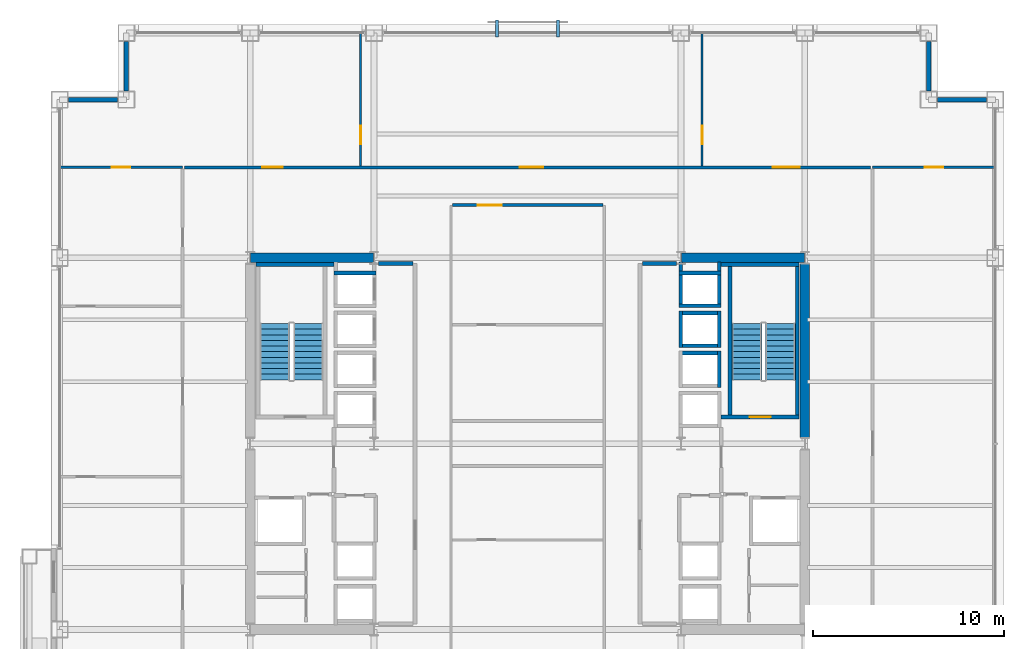
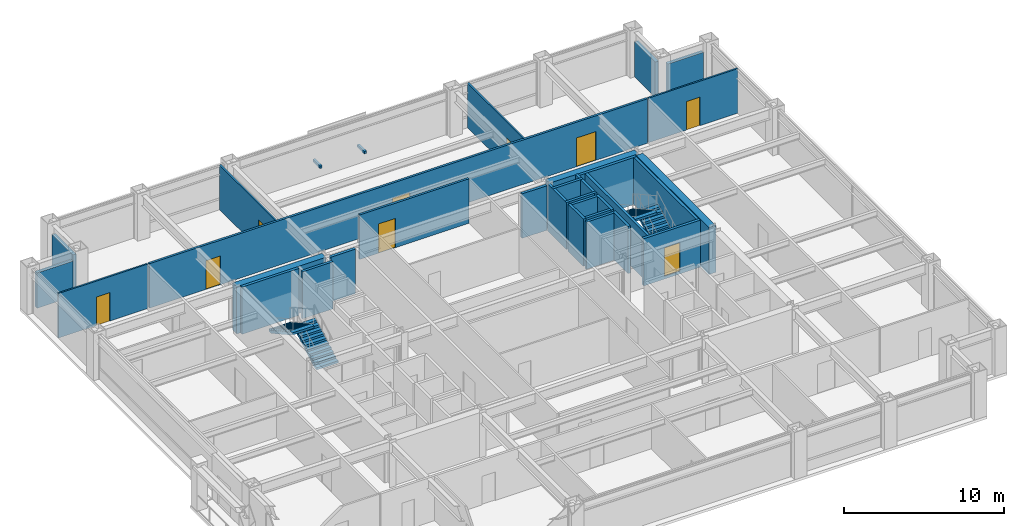
# One storey, part 27 of 30: 31 walls, 9 doors, 4 stair flights, 2 discrete accessories, 9 openings, 2 elements without a shape of their own.
"""IFC4 building model written with IfcOpenShell, lengths in metres."""

from ifc_helpers import new_model, si_unit, direction, frame, frame_2d, origin, origin_2d, place, context, subcontext, project, spatial, polyline, rectangle, outline, extrude, material, layer, layer_set, type_object, element, fill, aggregate, save


model = new_model("IFC4")

# Units and contexts
model_context = context("Model", 3, precision=1e-05, world=origin(), true_north=direction((0.0, 1.0)))
body_context = subcontext(model_context, "Body", "Model", "MODEL_VIEW")
ifc_project = project(units=[si_unit("LENGTHUNIT", "METRE"), si_unit("AREAUNIT", "SQUARE_METRE"), si_unit("VOLUMEUNIT", "CUBIC_METRE"), si_unit("PLANEANGLEUNIT", "RADIAN"), si_unit("MASSUNIT", "GRAM", prefix="KILO")], contexts=[model_context])

# Site, building, storey
site_placement = place(None, origin())
site = spatial("IfcSite", under=ifc_project, at=site_placement, CompositionType="ELEMENT")
building_placement = place(site_placement, origin())
building = spatial("IfcBuilding", under=site, at=building_placement, Name="Brelmoor Portico Tower", CompositionType="ELEMENT")
storey_placement = place(building_placement, frame((0.0, 0.0, 74.39990234375)))
storey = spatial("IfcBuildingStorey", under=building, at=storey_placement, Name="L19", CompositionType="ELEMENT", Elevation=74.39990234375)

# Walls
ifc_material_1 = material(Name="Concrete C60", Category="concrete")
ifc_layer_1 = layer(ifc_material_1, 0.5)
ifc_layer_set_1 = layer_set([ifc_layer_1], Name="Concrete C60")
wall_type_1 = type_object("IfcWallType", Name="WL-CORE-500", PredefinedType="SHEAR", material=ifc_layer_set_1)
for number, where, z_axis, x_axis, name in (
    (1, (-14.530029296875, 9.75, -0.199951171875), (0.0, 0.0, 1.0), (1.0, 0.0, 0.0), "L19 WC North Shear Wall"),
    (2, (8.070068359375, 9.75, -0.199951171875), (0.0, 0.0, 1.0), (1.0, 0.0, 0.0), "L19 EC North Shear Wall"),
):
    element("IfcWall", number, at=place(storey_placement, frame(where, z_axis=z_axis, x_axis=x_axis)), inside=storey, type_object=wall_type_1, Name=name, PredefinedType="SHEAR", context=body_context, shape_type="SweptSolid", body=[
        extrude(rectangle(XDim=6.4599609375, YDim=0.5, at=frame_2d((3.22998046875, 0.0))), origin(), (0.0, 0.0, 1.0), 3.60009765625),
    ])
wall_1_placement = place(storey_placement, frame((14.550048828125, 0.324951171875, -0.199951171875), z_axis=(0.0, 0.0, 1.0), x_axis=(0.0, 1.0, 0.0)))
element("IfcWall", 3, at=wall_1_placement, inside=storey, type_object=wall_type_1, Name="L19 EC Outer North Shear Wall", PredefinedType="SHEAR", context=body_context, shape_type="SweptSolid", body=[
    extrude(rectangle(XDim=9.10009765625, YDim=0.5, at=frame_2d((4.550048828125, 0.0))), origin(), (0.0, 0.0, 1.0), 3.60009765625),
])
ifc_material_2 = material(Name="Precast Concrete C40 Insulated Facade Wall", Category="concrete")
ifc_layer_2 = layer(ifc_material_2, 0.25)
ifc_layer_set_2 = layer_set([ifc_layer_2], Name="Precast Concrete C40 Insulated Facade Wall")
wall_type_2 = type_object("IfcWallType", Name="WL-EXT-250", PredefinedType="STANDARD", material=ifc_layer_set_2)
for number, where, z_axis, x_axis, name in (
    (4, (-24.090087890625, 18.050048828125, 0.0), (0.0, 0.0, 1.0), (1.0, 0.0, 0.0), "L19 Corner Notch Facade Wall NNWH1"),
    (5, (-21.050048828125, 18.510009765625, 0.0), (0.0, 0.0, 1.0), (0.0, 1.0, 0.0), "L19 Corner Notch Facade Wall NNWV1"),
    (6, (21.510009765625, 18.050048828125, 0.0), (0.0, 0.0, 1.0), (1.0, 0.0, 0.0), "L19 Corner Notch Facade Wall NNEH1"),
    (7, (21.050048828125, 18.510009765625, 0.0), (0.0, 0.0, 1.0), (0.0, 1.0, 0.0), "L19 Corner Notch Facade Wall NNEV1"),
):
    element("IfcWall", number, at=place(storey_placement, frame(where, z_axis=z_axis, x_axis=x_axis)), inside=storey, type_object=wall_type_2, Name=name, PredefinedType="STANDARD", context=body_context, shape_type="SweptSolid", body=[
        extrude(rectangle(XDim=2.580078125, YDim=0.25, at=frame_2d((1.2900390625, 0.0))), origin(), (0.0, 0.0, 1.0), 2.7001953125),
    ])

# Wall, opening, door
ifc_material_3 = material(Name="Lightweight Gypsum Office Partition", Category="gypsum")
ifc_layer_3 = layer(ifc_material_3, 0.1201171875)
ifc_layer_set_3 = layer_set([ifc_layer_3], Name="Lightweight Gypsum Office Partition")
wall_type_3 = type_object("IfcWallType", Name="WL-PART-120", PredefinedType="PARTITIONING", material=ifc_layer_set_3)
wall_2_placement = place(storey_placement, frame((-8.760498046875, 14.56005859375, 0.0), z_axis=(0.0, 0.0, 1.0), x_axis=(0.0, 1.0, 0.0)))
wall_2 = element("IfcWall", 8, at=wall_2_placement, inside=storey, type_object=wall_type_3, Name="L19 North Suite Partition 1", PredefinedType="PARTITIONING", context=body_context, shape_type="SweptSolid", body=[
    extrude(rectangle(XDim=7.0, YDim=0.1201171875, at=frame_2d((3.5, 0.0))), origin(), (0.0, 0.0, 1.0), 3.400146484375),
])
opening_1_placement = place(wall_2_placement, frame((1.14990234375, 0.0, 0.0)))
opening_1 = element("IfcOpeningElement", 9, at=opening_1_placement, cuts=wall_2, Name="Opening D-IN2", PredefinedType="OPENING", context=body_context, shape_type="SweptSolid", body=[
    extrude(rectangle(XDim=0.9599609375, YDim=2.179931640625, at=frame_2d((0.47998046875, 1.08984375))), frame((0.0, 0.070068359375, 0.0), z_axis=(0.0, -1.0, 0.0), x_axis=(1.0, 0.0, 0.0)), (0.0, 0.0, 1.0), 0.14013671875),
])
ifc_material_4 = material(Name="Lacquered Timber Suite Door", Category="wood")
door_type_1 = type_object("IfcDoorType", Name="DR-INT-950", OperationType="NOTDEFINED", PredefinedType="DOOR", material=ifc_material_4)
door_1_placement = place(opening_1_placement, origin())
door_1 = element("IfcDoor", 10, at=door_1_placement, inside=storey, type_object=door_type_1, Name="D-0870 L19 North Suite Connecting Door 1", OperationType="SINGLE_SWING_LEFT", OverallHeight=2.179931640625, OverallWidth=0.9599609375, PredefinedType="DOOR", context=body_context, shape_type="SweptSolid", body=[
    extrude(rectangle(XDim=0.9599609375, YDim=2.179931640625, at=frame_2d((0.47998046875, 1.08984375))), frame((0.0, 0.02490234375, 0.0), z_axis=(0.0, -1.0, 0.0), x_axis=(1.0, 0.0, 0.0)), (0.0, 0.0, 1.0), 0.050048828125),
])
fill(opening_1, door_1)

wall_3_placement = place(storey_placement, frame((9.15869140625, 14.56005859375, 0.0), z_axis=(0.0, 0.0, 1.0), x_axis=(0.0, 1.0, 0.0)))
wall_3 = element("IfcWall", 11, at=wall_3_placement, inside=storey, type_object=wall_type_3, Name="L19 North Suite Partition 2", PredefinedType="PARTITIONING", context=body_context, shape_type="SweptSolid", body=[
    extrude(rectangle(XDim=7.0, YDim=0.1201171875, at=frame_2d((3.5, 0.0))), origin(), (0.0, 0.0, 1.0), 3.400146484375),
])
opening_2_placement = place(wall_3_placement, frame((1.14990234375, 0.0, 0.0)))
opening_2 = element("IfcOpeningElement", 12, at=opening_2_placement, cuts=wall_3, Name="Opening D-IN2", PredefinedType="OPENING", context=body_context, shape_type="SweptSolid", body=[
    extrude(rectangle(XDim=0.9599609375, YDim=2.179931640625, at=frame_2d((0.47998046875, 1.08984375))), frame((0.0, 0.070068359375, 0.0), z_axis=(0.0, -1.0, 0.0), x_axis=(1.0, 0.0, 0.0)), (0.0, 0.0, 1.0), 0.14013671875),
])
door_2_placement = place(opening_2_placement, origin())
door_2 = element("IfcDoor", 13, at=door_2_placement, inside=storey, type_object=door_type_1, Name="D-0871 L19 North Suite Connecting Door 2", OperationType="SINGLE_SWING_RIGHT", OverallHeight=2.179931640625, OverallWidth=0.9599609375, PredefinedType="DOOR", context=body_context, shape_type="SweptSolid", body=[
    extrude(rectangle(XDim=0.9599609375, YDim=2.179931640625, at=frame_2d((0.47998046875, 1.08984375))), frame((0.0, 0.02490234375, 0.0), z_axis=(0.0, -1.0, 0.0), x_axis=(1.0, 0.0, 0.0)), (0.0, 0.0, 1.0), 0.050048828125),
])
fill(opening_2, door_2)

wall_4_placement = place(storey_placement, frame((-24.56005859375, 14.5, 0.0), z_axis=(0.0, 0.0, 1.0), x_axis=(1.0, 0.0, 0.0)))
wall_4 = element("IfcWall", 14, at=wall_4_placement, inside=storey, type_object=wall_type_3, Name="L19 North Outer Closure WL", PredefinedType="PARTITIONING", context=body_context, shape_type="SweptSolid", body=[
    extrude(rectangle(XDim=6.4599609375, YDim=0.1201171875, at=frame_2d((3.22998046875, 0.0))), origin(), (0.0, 0.0, 1.0), 3.400146484375),
])
opening_3_placement = place(wall_4_placement, frame((2.75, 0.0, 0.0)))
opening_3 = element("IfcOpeningElement", 15, at=opening_3_placement, cuts=wall_4, Name="Opening D-IN2", PredefinedType="OPENING", context=body_context, shape_type="SweptSolid", body=[
    extrude(rectangle(XDim=0.9599609375, YDim=2.179931640625, at=frame_2d((0.47998046875, 1.08984375))), frame((0.0, 0.070068359375, 0.0), z_axis=(0.0, -1.0, 0.0), x_axis=(1.0, 0.0, 0.0)), (0.0, 0.0, 1.0), 0.14013671875),
])
door_3_placement = place(opening_3_placement, origin())
door_3 = element("IfcDoor", 16, at=door_3_placement, inside=storey, type_object=door_type_1, Name="D-0873 L19 WL North Corner Suite Door", OperationType="SINGLE_SWING_LEFT", OverallHeight=2.179931640625, OverallWidth=0.9599609375, PredefinedType="DOOR", context=body_context, shape_type="SweptSolid", body=[
    extrude(rectangle(XDim=0.9599609375, YDim=2.179931640625, at=frame_2d((0.47998046875, 1.08984375))), frame((0.0, 0.02490234375, 0.0), z_axis=(0.0, -1.0, 0.0), x_axis=(1.0, 0.0, 0.0)), (0.0, 0.0, 1.0), 0.050048828125),
])
fill(opening_3, door_3)

wall_5_placement = place(storey_placement, frame((18.10009765625, 14.5, 0.0), z_axis=(0.0, 0.0, 1.0), x_axis=(1.0, 0.0, 0.0)))
wall_5 = element("IfcWall", 17, at=wall_5_placement, inside=storey, type_object=wall_type_3, Name="L19 North Outer Closure ER", PredefinedType="PARTITIONING", context=body_context, shape_type="SweptSolid", body=[
    extrude(rectangle(XDim=6.4599609375, YDim=0.1201171875, at=frame_2d((3.22998046875, 0.0))), origin(), (0.0, 0.0, 1.0), 3.400146484375),
])
opening_4_placement = place(wall_5_placement, frame((2.75, 0.0, 0.0)))
opening_4 = element("IfcOpeningElement", 18, at=opening_4_placement, cuts=wall_5, Name="Opening D-IN2", PredefinedType="OPENING", context=body_context, shape_type="SweptSolid", body=[
    extrude(rectangle(XDim=0.9599609375, YDim=2.179931640625, at=frame_2d((0.47998046875, 1.08984375))), frame((0.0, 0.070068359375, 0.0), z_axis=(0.0, -1.0, 0.0), x_axis=(1.0, 0.0, 0.0)), (0.0, 0.0, 1.0), 0.14013671875),
])
door_4_placement = place(opening_4_placement, origin())
door_4 = element("IfcDoor", 19, at=door_4_placement, inside=storey, type_object=door_type_1, Name="D-0872 L19 ER North Corner Suite Door", OperationType="SINGLE_SWING_RIGHT", OverallHeight=2.179931640625, OverallWidth=0.9599609375, PredefinedType="DOOR", context=body_context, shape_type="SweptSolid", body=[
    extrude(rectangle(XDim=0.9599609375, YDim=2.179931640625, at=frame_2d((0.47998046875, 1.08984375))), frame((0.0, 0.02490234375, 0.0), z_axis=(0.0, -1.0, 0.0), x_axis=(1.0, 0.0, 0.0)), (0.0, 0.0, 1.0), 0.050048828125),
])
fill(opening_4, door_4)

ifc_material_5 = material(Name="Twin-Frame Acoustic Partition", Category="gypsum")
ifc_layer_4 = layer(ifc_material_5, 0.159912109375)
ifc_layer_set_4 = layer_set([ifc_layer_4], Name="Twin-Frame Acoustic Partition")
wall_type_4 = type_object("IfcWallType", Name="WL-PART-160", PredefinedType="PARTITIONING", material=ifc_layer_set_4)
wall_6_placement = place(storey_placement, frame((-3.949951171875, 12.52001953125, 0.0), z_axis=(0.0, 0.0, 1.0), x_axis=(1.0, 0.0, 0.0)))
wall_6 = element("IfcWall", 20, at=wall_6_placement, inside=storey, type_object=wall_type_4, Name="L19 Central Meeting Corridor Wall", PredefinedType="PARTITIONING", context=body_context, shape_type="SweptSolid", body=[
    extrude(rectangle(XDim=7.89990234375, YDim=0.159912109375, at=frame_2d((3.949951171875, 0.0))), origin(), (0.0, 0.0, 1.0), 3.400146484375),
])
opening_5_placement = place(wall_6_placement, frame((1.35009765625, 0.0, 0.0)))
opening_5 = element("IfcOpeningElement", 21, at=opening_5_placement, cuts=wall_6, Name="Opening D-SU1", PredefinedType="OPENING", context=body_context, shape_type="SweptSolid", body=[
    extrude(rectangle(XDim=1.239990234375, YDim=2.239990234375, at=frame_2d((0.6201171875, 1.1201171875))), frame((0.0, 0.08984375, 0.0), z_axis=(0.0, -1.0, 0.0), x_axis=(1.0, 0.0, 0.0)), (0.0, 0.0, 1.0), 0.179931640625),
])
ifc_material_6 = material(Name="Glazed Timber Executive Suite Door", Category="wood")
door_type_2 = type_object("IfcDoorType", Name="DR-SUITE-1200", OperationType="NOTDEFINED", PredefinedType="DOOR", material=ifc_material_6)
door_5_placement = place(opening_5_placement, origin())
door_5 = element("IfcDoor", 22, at=door_5_placement, inside=storey, type_object=door_type_2, Name="D-0850 L19 Client Meeting Room Door", OperationType="SINGLE_SWING_LEFT", OverallHeight=2.239990234375, OverallWidth=1.239990234375, PredefinedType="DOOR", context=body_context, shape_type="SweptSolid", body=[
    extrude(rectangle(XDim=1.239990234375, YDim=2.239990234375, at=frame_2d((0.6201171875, 1.1201171875))), frame((0.0, 0.02490234375, 0.0), z_axis=(0.0, -1.0, 0.0), x_axis=(1.0, 0.0, 0.0)), (0.0, 0.0, 1.0), 0.050048828125),
])
fill(opening_5, door_5)

# Wall, openings, doors
wall_7_placement = place(storey_placement, frame((-18.0, 14.5, 0.0), z_axis=(0.0, 0.0, 1.0), x_axis=(1.0, 0.0, 0.0)))
wall_7 = element("IfcWall", 23, at=wall_7_placement, inside=storey, type_object=wall_type_4, Name="L19 North Corridor Partition", PredefinedType="PARTITIONING", context=body_context, shape_type="SweptSolid", body=[
    extrude(rectangle(XDim=36.0, YDim=0.159912109375, at=frame_2d((18.0, 0.0))), origin(), (0.0, 0.0, 1.0), 3.400146484375),
])
opening_6_placement = place(wall_7_placement, frame((4.08984375, 0.0, 0.0)))
opening_6 = element("IfcOpeningElement", 24, at=opening_6_placement, cuts=wall_7, Name="Opening D-OF2", PredefinedType="OPENING", context=body_context, shape_type="SweptSolid", body=[
    extrude(rectangle(XDim=1.06005859375, YDim=2.199951171875, at=frame_2d((0.530029296875, 1.10009765625))), frame((0.0, 0.08984375, 0.0), z_axis=(0.0, -1.0, 0.0), x_axis=(1.0, 0.0, 0.0)), (0.0, 0.0, 1.0), 0.179931640625),
])
opening_7_placement = place(wall_7_placement, frame((17.5791015625, 0.0, 0.0)))
opening_7 = element("IfcOpeningElement", 25, at=opening_7_placement, cuts=wall_7, Name="Opening D-SU1", PredefinedType="OPENING", context=body_context, shape_type="SweptSolid", body=[
    extrude(rectangle(XDim=1.239990234375, YDim=2.239990234375, at=frame_2d((0.6201171875, 1.1201171875))), frame((0.0, 0.08984375, 0.0), z_axis=(0.0, -1.0, 0.0), x_axis=(1.0, 0.0, 0.0)), (0.0, 0.0, 1.0), 0.179931640625),
])
opening_8_placement = place(wall_7_placement, frame((30.87939453125, 0.0, 0.0)))
opening_8 = element("IfcOpeningElement", 26, at=opening_8_placement, cuts=wall_7, Name="Opening D-SU2", PredefinedType="OPENING", context=body_context, shape_type="SweptSolid", body=[
    extrude(rectangle(XDim=1.39990234375, YDim=2.199951171875, at=frame_2d((0.699951171875, 1.10009765625))), frame((0.0, 0.08984375, 0.0), z_axis=(0.0, -1.0, 0.0), x_axis=(1.0, 0.0, 0.0)), (0.0, 0.0, 1.0), 0.179931640625),
])
ifc_material_7 = material(Name="Hardwood Acoustic Veneer Door", Category="wood")
door_type_3 = type_object("IfcDoorType", Name="DR-OFFICE-1050", OperationType="NOTDEFINED", PredefinedType="DOOR", material=ifc_material_7)
door_6_placement = place(opening_6_placement, origin())
door_6 = element("IfcDoor", 27, at=door_6_placement, inside=storey, type_object=door_type_3, Name="D-0867 L19 North Open-Plan Office 1 Door", OperationType="SINGLE_SWING_LEFT", OverallHeight=2.199951171875, OverallWidth=1.06005859375, PredefinedType="DOOR", context=body_context, shape_type="SweptSolid", body=[
    extrude(rectangle(XDim=1.06005859375, YDim=2.199951171875, at=frame_2d((0.530029296875, 1.10009765625))), frame((0.0, 0.02490234375, 0.0), z_axis=(0.0, -1.0, 0.0), x_axis=(1.0, 0.0, 0.0)), (0.0, 0.0, 1.0), 0.050048828125),
])
fill(opening_6, door_6)
door_7_placement = place(opening_7_placement, origin())
door_7 = element("IfcDoor", 28, at=door_7_placement, inside=storey, type_object=door_type_2, Name="D-0868 L19 North Reading Library 2 Door", OperationType="SINGLE_SWING_RIGHT", OverallHeight=2.239990234375, OverallWidth=1.239990234375, PredefinedType="DOOR", context=body_context, shape_type="SweptSolid", body=[
    extrude(rectangle(XDim=1.239990234375, YDim=2.239990234375, at=frame_2d((0.6201171875, 1.1201171875))), frame((0.0, 0.02490234375, 0.0), z_axis=(0.0, -1.0, 0.0), x_axis=(1.0, 0.0, 0.0)), (0.0, 0.0, 1.0), 0.050048828125),
])
fill(opening_7, door_7)
ifc_material_8 = material(Name="Double-Leaf Acoustic Suite Door", Category="timber")
door_type_4 = type_object("IfcDoorType", Name="DR-SUITE-1400", OperationType="NOTDEFINED", PredefinedType="DOOR", material=ifc_material_8)
door_8_placement = place(opening_8_placement, origin())
door_8 = element("IfcDoor", 29, at=door_8_placement, inside=storey, type_object=door_type_4, Name="D-0869 L19 North Staff Wellness Studio 3 Door", OperationType="DOUBLE_DOOR_SINGLE_SWING", OverallHeight=2.199951171875, OverallWidth=1.39990234375, PredefinedType="DOOR", context=body_context, shape_type="SweptSolid", body=[
    extrude(rectangle(XDim=1.39990234375, YDim=2.199951171875, at=frame_2d((0.699951171875, 1.10009765625))), frame((0.0, 0.02490234375, 0.0), z_axis=(0.0, -1.0, 0.0), x_axis=(1.0, 0.0, 0.0)), (0.0, 0.0, 1.0), 0.050048828125),
])
fill(opening_8, door_8)

# Walls
ifc_material_9 = material(Name="Double-Stud Gypsum Fire Partition", Category="gypsum")
ifc_layer_5 = layer(ifc_material_9, 0.199951171875)
ifc_layer_set_5 = layer_set([ifc_layer_5], Name="Double-Stud Gypsum Fire Partition")
wall_type_5 = type_object("IfcWallType", Name="WL-PART-200", PredefinedType="PARTITIONING", material=ifc_layer_set_5)
for number, where, z_axis, x_axis, name in (
    (30, (-6.02001953125, 9.449951171875, 0.0), (0.0, 0.0, 1.0), (-1.0, 0.0, 0.0), "L19 W Lift Lobby North End Wall"),
    (31, (6.02001953125, 9.449951171875, 0.0), (0.0, 0.0, 1.0), (1.0, 0.0, 0.0), "L19 E Lift Lobby North End Wall"),
):
    element("IfcWall", number, at=place(storey_placement, frame(where, z_axis=z_axis, x_axis=x_axis)), inside=storey, type_object=wall_type_5, Name=name, PredefinedType="PARTITIONING", context=body_context, shape_type="SweptSolid", body=[
        extrude(rectangle(XDim=1.800048828125, YDim=0.199951171875, at=frame_2d((0.89990234375, 0.0))), origin(), (0.0, 0.0, 1.0), 3.400146484375),
    ])
ifc_material_10 = material(Name="Precast Concrete C40", Category="concrete")
ifc_layer_6 = layer(ifc_material_10, 0.18994140625)
ifc_layer_set_6 = layer_set([ifc_layer_6], Name="Precast Concrete C40")
wall_type_6 = type_object("IfcWallType", Name="WL-SHAFT-180", PredefinedType="SOLIDWALL", material=ifc_layer_set_6)
wall_8_placement = place(storey_placement, frame((-10.14990234375, 8.955078125, -0.199951171875), z_axis=(0.0, 0.0, 1.0), x_axis=(1.0, 0.0, 0.0)))
element("IfcWall", 32, at=wall_8_placement, inside=storey, type_object=wall_type_6, Name="L19 Lift PL4 Hoistway North Wall", PredefinedType="SOLIDWALL", context=body_context, shape_type="SweptSolid", body=[
    extrude(rectangle(XDim=2.199951171875, YDim=0.18994140625, at=frame_2d((1.10009765625, 0.0))), origin(), (0.0, 0.0, 1.0), 3.60009765625),
])
wall_9_placement = place(storey_placement, frame((10.054931640625, 2.949951171875, -0.199951171875), z_axis=(0.0, 0.0, 1.0), x_axis=(0.0, 1.0, 0.0)))
element("IfcWall", 33, at=wall_9_placement, inside=storey, type_object=wall_type_6, Name="L19 Lift PM2 Hoistway Back Wall", PredefinedType="SOLIDWALL", context=body_context, shape_type="SweptSolid", body=[
    extrude(rectangle(XDim=1.900146484375, YDim=0.18994140625, at=frame_2d((0.9501953125, 0.0))), origin(), (0.0, 0.0, 1.0), 3.60009765625),
])
wall_10_placement = place(storey_placement, frame((7.949951171875, 4.7548828125, -0.199951171875), z_axis=(0.0, 0.0, 1.0), x_axis=(1.0, 0.0, 0.0)))
element("IfcWall", 34, at=wall_10_placement, inside=storey, type_object=wall_type_6, Name="L19 Lift PM2 Hoistway North Wall", PredefinedType="SOLIDWALL", context=body_context, shape_type="SweptSolid", body=[
    extrude(rectangle(XDim=2.199951171875, YDim=0.18994140625, at=frame_2d((1.10009765625, 0.0))), origin(), (0.0, 0.0, 1.0), 3.60009765625),
])
for number, where, z_axis, x_axis, name in (
    (35, (8.044921875, 5.050048828125, -0.199951171875), (0.0, 0.0, 1.0), (0.0, 1.0, 0.0), "L19 Lift PM3 Hoistway Front Wall"),
    (36, (10.054931640625, 5.050048828125, -0.199951171875), (0.0, 0.0, 1.0), (0.0, 1.0, 0.0), "L19 Lift PM3 Hoistway Back Wall"),
):
    element("IfcWall", number, at=place(storey_placement, frame(where, z_axis=z_axis, x_axis=x_axis)), inside=storey, type_object=wall_type_6, Name=name, PredefinedType="SOLIDWALL", context=body_context, shape_type="SweptSolid", body=[
        extrude(rectangle(XDim=1.89990234375, YDim=0.18994140625, at=frame_2d((0.949951171875, 0.0))), origin(), (0.0, 0.0, 1.0), 3.60009765625),
    ])
for number, where, z_axis, x_axis, name in (
    (37, (7.949951171875, 6.85498046875, -0.199951171875), (0.0, 0.0, 1.0), (1.0, 0.0, 0.0), "L19 Lift PM3 Hoistway North Wall"),
    (38, (7.949951171875, 5.14501953125, -0.199951171875), (0.0, 0.0, 1.0), (1.0, 0.0, 0.0), "L19 Lift PM3 Hoistway South Wall"),
):
    element("IfcWall", number, at=place(storey_placement, frame(where, z_axis=z_axis, x_axis=x_axis)), inside=storey, type_object=wall_type_6, Name=name, PredefinedType="SOLIDWALL", context=body_context, shape_type="SweptSolid", body=[
        extrude(rectangle(XDim=2.199951171875, YDim=0.18994140625, at=frame_2d((1.10009765625, 0.0))), origin(), (0.0, 0.0, 1.0), 3.60009765625),
    ])
for number, where, z_axis, x_axis, name in (
    (39, (8.044921875, 7.14990234375, -0.199951171875), (0.0, 0.0, 1.0), (0.0, 1.0, 0.0), "L19 Lift PM4 Hoistway Front Wall"),
    (40, (10.054931640625, 7.14990234375, -0.199951171875), (0.0, 0.0, 1.0), (0.0, 1.0, 0.0), "L19 Lift PM4 Hoistway Back Wall"),
):
    element("IfcWall", number, at=place(storey_placement, frame(where, z_axis=z_axis, x_axis=x_axis)), inside=storey, type_object=wall_type_6, Name=name, PredefinedType="SOLIDWALL", context=body_context, shape_type="SweptSolid", body=[
        extrude(rectangle(XDim=2.3701171875, YDim=0.18994140625, at=frame_2d((1.18505859375, 0.0))), origin(), (0.0, 0.0, 1.0), 3.60009765625),
    ])
for number, where, z_axis, x_axis, name in (
    (41, (7.949951171875, 8.955078125, -0.199951171875), (0.0, 0.0, 1.0), (1.0, 0.0, 0.0), "L19 Lift PM4 Hoistway North Wall"),
    (42, (7.949951171875, 7.2451171875, -0.199951171875), (0.0, 0.0, 1.0), (1.0, 0.0, 0.0), "L19 Lift PM4 Hoistway South Wall"),
):
    element("IfcWall", number, at=place(storey_placement, frame(where, z_axis=z_axis, x_axis=x_axis)), inside=storey, type_object=wall_type_6, Name=name, PredefinedType="SOLIDWALL", context=body_context, shape_type="SweptSolid", body=[
        extrude(rectangle(XDim=2.199951171875, YDim=0.18994140625, at=frame_2d((1.10009765625, 0.0))), origin(), (0.0, 0.0, 1.0), 3.60009765625),
    ])
ifc_material_11 = material(Name="Concrete C40", Category="concrete")
ifc_layer_7 = layer(ifc_material_11, 0.199951171875)
ifc_layer_set_7 = layer_set([ifc_layer_7], Name="Concrete C40")
wall_type_7 = type_object("IfcWallType", Name="WL-SHAFT-RC200", PredefinedType="SOLIDWALL", material=ifc_layer_set_7)
wall_11_placement = place(storey_placement, frame((14.14990234375, 1.5, -0.199951171875), z_axis=(0.0, 0.0, 1.0), x_axis=(0.0, 1.0, 0.0)))
element("IfcWall", 43, at=wall_11_placement, inside=storey, type_object=wall_type_7, Name="L19 ST-E Structural Stair Wall Outer", PredefinedType="SOLIDWALL", context=body_context, shape_type="SweptSolid", body=[
    extrude(rectangle(XDim=7.800048828125, YDim=0.199951171875, at=frame_2d((3.89990234375, 0.0))), origin(), (0.0, 0.0, 1.0), 3.60009765625),
])
wall_12_placement = place(storey_placement, frame((-14.25, 9.39990234375, -0.199951171875), z_axis=(0.0, 0.0, 1.0), x_axis=(1.0, 0.0, 0.0)))
element("IfcWall", 44, at=wall_12_placement, inside=storey, type_object=wall_type_7, Name="L19 ST-W Structural Stair Wall N", PredefinedType="SOLIDWALL", context=body_context, shape_type="SweptSolid", body=[
    extrude(rectangle(XDim=4.10009765625, YDim=0.199951171875, at=frame_2d((2.050048828125, 0.0))), origin(), (0.0, 0.0, 1.0), 3.60009765625),
])

# Wall, opening, door
wall_13_placement = place(storey_placement, frame((10.14990234375, 1.39990234375, -0.199951171875), z_axis=(0.0, 0.0, 1.0), x_axis=(1.0, 0.0, 0.0)))
wall_13 = element("IfcWall", 45, at=wall_13_placement, inside=storey, type_object=wall_type_7, Name="L19 ST-E Structural Stair Wall S", PredefinedType="SOLIDWALL", context=body_context, shape_type="SweptSolid", body=[
    extrude(rectangle(XDim=4.10009765625, YDim=0.199951171875, at=frame_2d((2.050048828125, 0.0))), origin(), (0.0, 0.0, 1.0), 3.60009765625),
])
opening_9_placement = place(wall_13_placement, frame((1.5, 0.0, 0.199951171875)))
opening_9 = element("IfcOpeningElement", 46, at=opening_9_placement, cuts=wall_13, Name="Opening D-ST1", PredefinedType="OPENING", context=body_context, shape_type="SweptSolid", body=[
    extrude(rectangle(XDim=1.1201171875, YDim=2.179931640625, at=frame_2d((0.56005859375, 1.08984375))), frame((0.0, 0.10986328125, 0.0), z_axis=(0.0, -1.0, 0.0), x_axis=(1.0, 0.0, 0.0)), (0.0, 0.0, 1.0), 0.219970703125),
])
ifc_material_12 = material(Name="Painted Galvanised Steel Fire Door", Category="steel")
door_type_5 = type_object("IfcDoorType", Name="DR-STAIR-1100", OperationType="NOTDEFINED", PredefinedType="DOOR", material=ifc_material_12)
door_9_placement = place(opening_9_placement, origin())
door_9 = element("IfcDoor", 47, at=door_9_placement, inside=storey, type_object=door_type_5, Name="D-0883 L19 ST-E Protected Exit Stair Door", OperationType="SINGLE_SWING_RIGHT", OverallHeight=2.179931640625, OverallWidth=1.1201171875, PredefinedType="DOOR", context=body_context, shape_type="SweptSolid", body=[
    extrude(rectangle(XDim=1.1201171875, YDim=2.179931640625, at=frame_2d((0.56005859375, 1.08984375))), frame((0.0, 0.02490234375, 0.0), z_axis=(0.0, -1.0, 0.0), x_axis=(1.0, 0.0, 0.0)), (0.0, 0.0, 1.0), 0.050048828125),
])
fill(opening_9, door_9)

# Walls
wall_14_placement = place(storey_placement, frame((10.14990234375, 9.39990234375, -0.199951171875), z_axis=(0.0, 0.0, 1.0), x_axis=(1.0, 0.0, 0.0)))
element("IfcWall", 48, at=wall_14_placement, inside=storey, type_object=wall_type_7, Name="L19 ST-E Structural Stair Wall N", PredefinedType="SOLIDWALL", context=body_context, shape_type="SweptSolid", body=[
    extrude(rectangle(XDim=4.10009765625, YDim=0.199951171875, at=frame_2d((2.050048828125, 0.0))), origin(), (0.0, 0.0, 1.0), 3.60009765625),
])
wall_15_placement = place(storey_placement, frame((10.6298828125, 1.5, -0.199951171875), z_axis=(0.0, 0.0, 1.0), x_axis=(0.0, 1.0, 0.0)))
element("IfcWall", 49, at=wall_15_placement, inside=storey, type_object=wall_type_7, Name="L19 ST-E Structural Stair Wall Inner", PredefinedType="SOLIDWALL", context=body_context, shape_type="SweptSolid", body=[
    extrude(rectangle(XDim=7.800048828125, YDim=0.199951171875, at=frame_2d((3.89990234375, 0.0))), origin(), (0.0, 0.0, 1.0), 3.60009765625),
])

# Stair, stair flights
stair_type_1 = type_object("IfcStairType", Name="ST-CORE-W", PredefinedType="HALF_TURN_STAIR", material=ifc_material_11)
stair_1_placement = place(storey_placement, origin())
stair_1 = element("IfcStair", 50, at=stair_1_placement, inside=storey, type_object=stair_type_1, Name="L19 Protected Core Exit Stair ST-W", PredefinedType="HALF_TURN_STAIR")
stair_flight_type = type_object("IfcStairFlightType", Name="SF-CORE-1850", PredefinedType="STRAIGHT", material=ifc_material_11)
stair_flight_1_placement = place(storey_placement, frame((-11.510009765625, 3.35009765625, 0.0), z_axis=(0.0, 0.0, 1.0), x_axis=(0.0, 1.0, 0.0)))
stair_flight_1 = element("IfcStairFlight", 51, at=stair_flight_1_placement, type_object=stair_flight_type, Name="ST-W flight 1", NumberOfRisers=11, NumberOfTreads=10, PredefinedType="STRAIGHT", RiserHeight=0.163636364, TreadLength=0.295, context=body_context, shape_type="SweptSolid", body=[
    extrude(outline(polyline([(0.0, 0.0), (0.0, 0.16357421875), (0.294921875, 0.16357421875), (0.294921875, 0.327392578125), (0.590087890625, 0.327392578125), (0.590087890625, 0.490966796875), (0.885009765625, 0.490966796875), (0.885009765625, 0.654541015625), (1.179931640625, 0.654541015625), (1.179931640625, 0.818115234375), (1.47509765625, 0.818115234375), (1.47509765625, 0.98193359375), (1.77001953125, 0.98193359375), (1.77001953125, 1.1455078125), (2.06494140625, 1.1455078125), (2.06494140625, 1.30908203125), (2.360107421875, 1.30908203125), (2.360107421875, 1.47265625), (2.655029296875, 1.47265625), (2.655029296875, 1.636474609375), (2.949951171875, 1.636474609375), (2.949951171875, 1.800048828125), (2.949951171875, 1.46484375), (0.30908203125, 0.0), (0.0, 0.0)])), frame((0.0, 0.780029296875, 0.0), z_axis=(0.0, -1.0, 0.0), x_axis=(1.0, 0.0, 0.0)), (0.0, 0.0, 1.0), 1.56005859375),
])
stair_flight_2_placement = place(storey_placement, frame((-13.27001953125, 6.300048828125, 1.800048828125), z_axis=(0.0, 0.0, 1.0), x_axis=(0.0, -1.0, 0.0)))
stair_flight_2 = element("IfcStairFlight", 52, at=stair_flight_2_placement, type_object=stair_flight_type, Name="ST-W flight 2", NumberOfRisers=11, NumberOfTreads=10, PredefinedType="STRAIGHT", RiserHeight=0.163636364, TreadLength=0.295, context=body_context, shape_type="SweptSolid", body=[
    extrude(outline(polyline([(0.0, 0.0), (0.0, 0.16357421875), (0.294921875, 0.16357421875), (0.294921875, 0.327392578125), (0.590087890625, 0.327392578125), (0.590087890625, 0.490966796875), (0.885009765625, 0.490966796875), (0.885009765625, 0.654541015625), (1.179931640625, 0.654541015625), (1.179931640625, 0.818115234375), (1.47509765625, 0.818115234375), (1.47509765625, 0.98193359375), (1.77001953125, 0.98193359375), (1.77001953125, 1.1455078125), (2.06494140625, 1.1455078125), (2.06494140625, 1.30908203125), (2.360107421875, 1.30908203125), (2.360107421875, 1.47265625), (2.655029296875, 1.47265625), (2.655029296875, 1.636474609375), (2.949951171875, 1.636474609375), (2.949951171875, 1.800048828125), (2.949951171875, 1.46484375), (0.30908203125, 0.0), (0.0, 0.0)])), frame((0.0, 0.780029296875, 0.0), z_axis=(0.0, -1.0, 0.0), x_axis=(1.0, 0.0, 0.0)), (0.0, 0.0, 1.0), 1.56005859375),
])
aggregate(stair_1, [stair_flight_1, stair_flight_2])

stair_type_2 = type_object("IfcStairType", Name="ST-CORE-E", PredefinedType="HALF_TURN_STAIR", material=ifc_material_11)
stair_2_placement = place(storey_placement, origin())
stair_2 = element("IfcStair", 53, at=stair_2_placement, inside=storey, type_object=stair_type_2, Name="L19 Protected Core Exit Stair ST-E", PredefinedType="HALF_TURN_STAIR")
stair_flight_3_placement = place(storey_placement, frame((13.27001953125, 3.35009765625, 0.0), z_axis=(0.0, 0.0, 1.0), x_axis=(0.0, 1.0, 0.0)))
stair_flight_3 = element("IfcStairFlight", 54, at=stair_flight_3_placement, type_object=stair_flight_type, Name="ST-E flight 1", NumberOfRisers=11, NumberOfTreads=10, PredefinedType="STRAIGHT", RiserHeight=0.163636364, TreadLength=0.295, context=body_context, shape_type="SweptSolid", body=[
    extrude(outline(polyline([(0.0, 0.0), (0.0, 0.16357421875), (0.294921875, 0.16357421875), (0.294921875, 0.327392578125), (0.590087890625, 0.327392578125), (0.590087890625, 0.490966796875), (0.885009765625, 0.490966796875), (0.885009765625, 0.654541015625), (1.179931640625, 0.654541015625), (1.179931640625, 0.818115234375), (1.47509765625, 0.818115234375), (1.47509765625, 0.98193359375), (1.77001953125, 0.98193359375), (1.77001953125, 1.1455078125), (2.06494140625, 1.1455078125), (2.06494140625, 1.30908203125), (2.360107421875, 1.30908203125), (2.360107421875, 1.47265625), (2.655029296875, 1.47265625), (2.655029296875, 1.636474609375), (2.949951171875, 1.636474609375), (2.949951171875, 1.800048828125), (2.949951171875, 1.46484375), (0.30908203125, 0.0), (0.0, 0.0)])), frame((0.0, 0.780029296875, 0.0), z_axis=(0.0, -1.0, 0.0), x_axis=(1.0, 0.0, 0.0)), (0.0, 0.0, 1.0), 1.56005859375),
])
stair_flight_4_placement = place(storey_placement, frame((11.510009765625, 6.300048828125, 1.800048828125), z_axis=(0.0, 0.0, 1.0), x_axis=(0.0, -1.0, 0.0)))
stair_flight_4 = element("IfcStairFlight", 55, at=stair_flight_4_placement, type_object=stair_flight_type, Name="ST-E flight 2", NumberOfRisers=11, NumberOfTreads=10, PredefinedType="STRAIGHT", RiserHeight=0.163636364, TreadLength=0.295, context=body_context, shape_type="SweptSolid", body=[
    extrude(outline(polyline([(0.0, 0.0), (0.0, 0.16357421875), (0.294921875, 0.16357421875), (0.294921875, 0.327392578125), (0.590087890625, 0.327392578125), (0.590087890625, 0.490966796875), (0.885009765625, 0.490966796875), (0.885009765625, 0.654541015625), (1.179931640625, 0.654541015625), (1.179931640625, 0.818115234375), (1.47509765625, 0.818115234375), (1.47509765625, 0.98193359375), (1.77001953125, 0.98193359375), (1.77001953125, 1.1455078125), (2.06494140625, 1.1455078125), (2.06494140625, 1.30908203125), (2.360107421875, 1.30908203125), (2.360107421875, 1.47265625), (2.655029296875, 1.47265625), (2.655029296875, 1.636474609375), (2.949951171875, 1.636474609375), (2.949951171875, 1.800048828125), (2.949951171875, 1.46484375), (0.30908203125, 0.0), (0.0, 0.0)])), frame((0.0, 0.780029296875, 0.0), z_axis=(0.0, -1.0, 0.0), x_axis=(1.0, 0.0, 0.0)), (0.0, 0.0, 1.0), 1.56005859375),
])
aggregate(stair_2, [stair_flight_3, stair_flight_4])

# Discrete accessories
ifc_material_13 = material(Name="Galvanised Steel Q355B", Category="steel")
discrete_accessory_type = type_object("IfcDiscreteAccessoryType", Name="DA-SCREEN-BRACKET", PredefinedType="BRACKET", material=ifc_material_13)
for number, where, z_axis, x_axis, name in (
    (56, (-1.60009765625, 21.780029296875, 0.76025390625), (0.0, 0.0, 1.0), (1.0, 0.0, 0.0), "L19 Solar Screen Bracket N1A"),
    (57, (1.60009765625, 21.780029296875, 0.76025390625), (0.0, 0.0, 1.0), (1.0, 0.0, 0.0), "L19 Solar Screen Bracket N1B"),
):
    element("IfcDiscreteAccessory", number, at=place(storey_placement, frame(where, z_axis=z_axis, x_axis=x_axis)), inside=storey, type_object=discrete_accessory_type, Name=name, PredefinedType="BRACKET", context=body_context, shape_type="SweptSolid", body=[
        extrude(rectangle(XDim=0.159912109375, YDim=0.89990234375, at=origin_2d()), origin(), (0.0, 0.0, 1.0), 0.179931640625),
    ])

save(model, "model.ifc")
